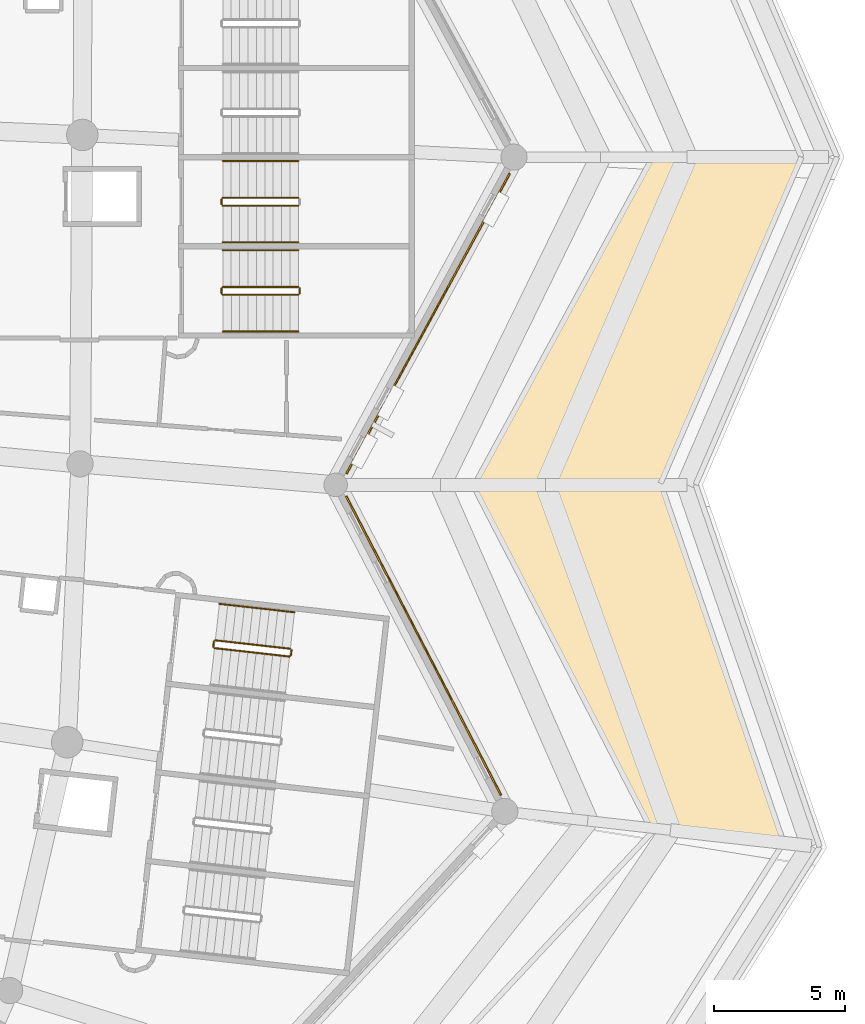
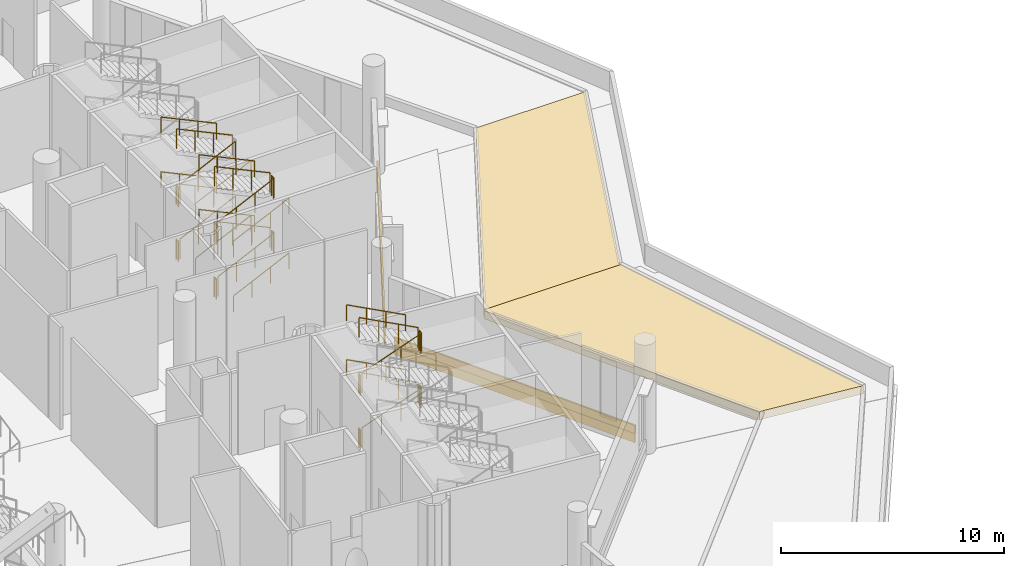
# One storey, part 139 of 173: 32 railings, 6 coverings.
"""IFC4 building model written with IfcOpenShell, lengths in metres."""

from ifc_helpers import new_model, si_unit, direction, frame, origin, origin_2d, place, context, subcontext, project, spatial, polyline, rectangle, circle, outline, extrude, material, layer, layer_set, type_object, element, save


model = new_model("IFC4")

# Units and contexts
model_context = context("Model", 3, precision=1e-05, world=origin(), true_north=direction((0.0, 1.0)))
body_context = subcontext(model_context, "Body", "Model", "MODEL_VIEW")
ifc_project = project(units=[si_unit("LENGTHUNIT", "METRE"), si_unit("AREAUNIT", "SQUARE_METRE"), si_unit("VOLUMEUNIT", "CUBIC_METRE"), si_unit("PLANEANGLEUNIT", "RADIAN"), si_unit("MASSUNIT", "GRAM", prefix="KILO")], contexts=[model_context])

# Site, building, storey
site_placement = place(None, origin())
site = spatial("IfcSite", under=ifc_project, at=site_placement, CompositionType="ELEMENT")
building_placement = place(site_placement, origin())
building = spatial("IfcBuilding", under=site, at=building_placement, Name="Meseta Stadium", CompositionType="ELEMENT")
storey_placement = place(building_placement, frame((0.0, 0.0, 18.0)))
storey = spatial("IfcBuildingStorey", under=building, at=storey_placement, Name="L03", CompositionType="ELEMENT", Elevation=18.0)

# Coverings
ifc_material_1 = material(Name="Guadarrama granite cladding", Category="masonry")
ifc_layer_1 = layer(ifc_material_1, 0.06005859375)
ifc_layer_set_1 = layer_set([ifc_layer_1], Name="Granite plinth cladding 60")
covering_type_1 = type_object("IfcCoveringType", Name="Granite plinth cladding 60", PredefinedType="CLADDING", material=ifc_layer_set_1)
covering_1_placement = place(storey_placement, frame((97.951904296875, -49.8828125, 0.0), z_axis=(0.0, 0.0, 1.0), x_axis=(0.46001538077, -0.887910946804, 0.0)))
element("IfcCovering", 1, at=covering_1_placement, inside=storey, type_object=covering_type_1, Name="Granite plinth L03 F00", PredefinedType="CLADDING", context=body_context, shape_type="SweptSolid", body=[
    extrude(rectangle(XDim=12.83544921875, YDim=0.06005859375, at=origin_2d()), origin(), (0.0, 0.0, 1.0), 0.5),
])
covering_2_placement = place(storey_placement, frame((98.124267578125, -37.595947265625, 0.0), z_axis=(0.0, 0.0, 1.0), x_axis=(-0.47786723231, -0.878432073802, 0.0)))
element("IfcCovering", 2, at=covering_2_placement, inside=storey, type_object=covering_type_1, Name="Granite plinth L03 F01", PredefinedType="CLADDING", context=body_context, shape_type="SweptSolid", body=[
    extrude(rectangle(XDim=13.040283203125, YDim=0.06005859375, at=origin_2d()), origin(), (0.0, 0.0, 1.0), 0.5),
])
ifc_material_2 = material(Name="Planting soil")
ifc_layer_2 = layer(ifc_material_2, 0.449951171875)
ifc_layer_set_2 = layer_set([ifc_layer_2], Name="Planting soil 450")
covering_type_2 = type_object("IfcCoveringType", Name="Planting soil 450", PredefinedType="FLOORING", material=ifc_layer_set_2)
covering_3_placement = place(storey_placement, origin())
element("IfcCovering", 3, at=covering_3_placement, inside=storey, type_object=covering_type_2, Name="Roof garden planting bed 8.1 panel 04", PredefinedType="FLOORING", context=body_context, shape_type="SweptSolid", body=[
    extrude(outline(polyline([(107.0146484375, -43.75), (99.8935546875, -43.75), (99.864501953125, -43.80322265625), (106.61328125, -56.82958984375), (111.67919921875, -57.400390625), (111.68310546875, -57.393798828125), (107.0146484375, -43.75)])), origin(), (0.0, 0.0, 1.0), 0.449951171875),
])
covering_4_placement = place(storey_placement, origin())
element("IfcCovering", 4, at=covering_4_placement, inside=storey, type_object=covering_type_2, Name="Roof garden planting bed 8.1 panel 05", PredefinedType="FLOORING", context=body_context, shape_type="SweptSolid", body=[
    extrude(outline(polyline([(106.693603515625, -31.25), (99.8935546875, -43.75), (107.0146484375, -43.75), (106.9931640625, -43.687255859375), (112.365966796875, -31.25), (106.693603515625, -31.25)])), origin(), (0.0, 0.0, 1.0), 0.449951171875),
])

# Railings
ifc_material_3 = material(Name="Steel S355", Category="steel")
railing_type_1 = type_object("IfcRailingType", Name="Stair guard 1100", PredefinedType="GUARDRAIL", material=ifc_material_3)
railing_1_placement = place(storey_placement, frame((89.9794921875, -49.973876953125, 0.14990234375)))
element("IfcRailing", 5, at=railing_1_placement, inside=storey, type_object=railing_type_1, Name="ST4 L03 guard 1", PredefinedType="GUARDRAIL", context=body_context, shape_type="SweptSolid", body=[
    extrude(circle(Radius=0.02392578125, at=origin_2d()), frame((0.0, 0.0, 1.076171875), z_axis=(0.899747905232, -0.10139626197, 0.424467319223), x_axis=(0.111985219376, 0.993709872468, 0.0)), (0.0, 0.0, 1.0), 3.1806640625),
    extrude(circle(Radius=0.02099609375, at=origin_2d()), origin(), (0.0, 0.0, 1.0), 1.052001953125),
    extrude(circle(Radius=0.02099609375, at=origin_2d()), frame((0.953857421875, -0.107421875, 0.449951171875)), (0.0, 0.0, 1.0), 1.052001953125),
    extrude(circle(Radius=0.02099609375, at=origin_2d()), frame((1.907958984375, -0.215087890625, 0.900146484375)), (0.0, 0.0, 1.0), 1.052001953125),
    extrude(circle(Radius=0.02099609375, at=origin_2d()), frame((2.86181640625, -0.322509765625, 1.35009765625)), (0.0, 0.0, 1.0), 1.052001953125),
])
railing_2_placement = place(storey_placement, frame((92.896728515625, -50.25244140625, 1.5)))
element("IfcRailing", 6, at=railing_2_placement, inside=storey, type_object=railing_type_1, Name="ST4 L03 guard 2", PredefinedType="GUARDRAIL", context=body_context, shape_type="SweptSolid", body=[
    extrude(circle(Radius=0.02392578125, at=origin_2d()), frame((0.0, 0.0, 1.076171875), z_axis=(0.111101504696, 0.993809063983, 0.0), x_axis=(-0.993809063983, 0.111101504696, 0.0)), (0.0, 0.0, 1.0), 0.199951171875),
    extrude(circle(Radius=0.02099609375, at=origin_2d()), origin(), (0.0, 0.0, 1.0), 1.052001953125),
    extrude(circle(Radius=0.02099609375, at=origin_2d()), frame((0.022216796875, 0.19873046875, 0.0)), (0.0, 0.0, 1.0), 1.052001953125),
])
railing_3_placement = place(storey_placement, frame((92.875, -49.998291015625, 1.64990234375)))
element("IfcRailing", 7, at=railing_3_placement, inside=storey, type_object=railing_type_1, Name="ST4 L03 guard 3", PredefinedType="GUARDRAIL", context=body_context, shape_type="SweptSolid", body=[
    extrude(circle(Radius=0.02392578125, at=origin_2d()), frame((0.0, 0.0, 1.076171875), z_axis=(-0.899762522411, 0.101389259755, 0.424438006392), x_axis=(-0.11197578655, -0.993710935447, 0.0)), (0.0, 0.0, 1.0), 3.180908203125),
    extrude(circle(Radius=0.02099609375, at=origin_2d()), origin(), (0.0, 0.0, 1.0), 1.052001953125),
    extrude(circle(Radius=0.02099609375, at=origin_2d()), frame((-0.9541015625, 0.107421875, 0.449951171875)), (0.0, 0.0, 1.0), 1.052001953125),
    extrude(circle(Radius=0.02099609375, at=origin_2d()), frame((-1.907958984375, 0.215087890625, 0.900146484375)), (0.0, 0.0, 1.0), 1.052001953125),
    extrude(circle(Radius=0.02099609375, at=origin_2d()), frame((-2.862060546875, 0.322509765625, 1.35009765625)), (0.0, 0.0, 1.0), 1.052001953125),
])
railing_4_placement = place(storey_placement, frame((89.935302734375, -49.918701171875, 3.0)))
element("IfcRailing", 8, at=railing_4_placement, inside=storey, type_object=railing_type_1, Name="ST4 L03 guard 4", PredefinedType="GUARDRAIL", context=body_context, shape_type="SweptSolid", body=[
    extrude(circle(Radius=0.02392578125, at=origin_2d()), frame((0.0, 0.0, 1.076171875), z_axis=(0.112307083986, 0.993673547442, 0.0), x_axis=(-0.993673547442, 0.112307083986, 0.0)), (0.0, 0.0, 1.0), 0.199951171875),
    extrude(circle(Radius=0.02099609375, at=origin_2d()), origin(), (0.0, 0.0, 1.0), 1.052001953125),
    extrude(circle(Radius=0.02099609375, at=origin_2d()), frame((0.0224609375, 0.19873046875, 0.0)), (0.0, 0.0, 1.0), 1.052001953125),
])
railing_5_placement = place(storey_placement, frame((89.9794921875, -49.973876953125, 3.14990234375)))
element("IfcRailing", 9, at=railing_5_placement, inside=storey, type_object=railing_type_1, Name="ST4 L03 guard 5", PredefinedType="GUARDRAIL", context=body_context, shape_type="SweptSolid", body=[
    extrude(circle(Radius=0.02392578125, at=origin_2d()), frame((0.0, 0.0, 1.076171875), z_axis=(0.899747905232, -0.10139626197, 0.424467319223), x_axis=(0.111985219376, 0.993709872468, 0.0)), (0.0, 0.0, 1.0), 3.1806640625),
    extrude(circle(Radius=0.02099609375, at=origin_2d()), origin(), (0.0, 0.0, 1.0), 1.052001953125),
    extrude(circle(Radius=0.02099609375, at=origin_2d()), frame((0.953857421875, -0.107421875, 0.449951171875)), (0.0, 0.0, 1.0), 1.052001953125),
    extrude(circle(Radius=0.02099609375, at=origin_2d()), frame((1.907958984375, -0.215087890625, 0.900146484375)), (0.0, 0.0, 1.0), 1.052001953125),
    extrude(circle(Radius=0.02099609375, at=origin_2d()), frame((2.86181640625, -0.322509765625, 1.35009765625)), (0.0, 0.0, 1.0), 1.052001953125),
])
railing_6_placement = place(storey_placement, frame((92.896728515625, -50.25244140625, 4.5)))
element("IfcRailing", 10, at=railing_6_placement, inside=storey, type_object=railing_type_1, Name="ST4 L03 guard 6", PredefinedType="GUARDRAIL", context=body_context, shape_type="SweptSolid", body=[
    extrude(circle(Radius=0.02392578125, at=origin_2d()), frame((0.0, 0.0, 1.076171875), z_axis=(0.111101504696, 0.993809063983, 0.0), x_axis=(-0.993809063983, 0.111101504696, 0.0)), (0.0, 0.0, 1.0), 0.199951171875),
    extrude(circle(Radius=0.02099609375, at=origin_2d()), origin(), (0.0, 0.0, 1.0), 1.052001953125),
    extrude(circle(Radius=0.02099609375, at=origin_2d()), frame((0.022216796875, 0.19873046875, 0.0)), (0.0, 0.0, 1.0), 1.052001953125),
])
railing_7_placement = place(storey_placement, frame((92.875, -49.998291015625, 4.64990234375)))
element("IfcRailing", 11, at=railing_7_placement, inside=storey, type_object=railing_type_1, Name="ST4 L03 guard 7", PredefinedType="GUARDRAIL", context=body_context, shape_type="SweptSolid", body=[
    extrude(circle(Radius=0.02392578125, at=origin_2d()), frame((0.0, 0.0, 1.076171875), z_axis=(-0.899762522411, 0.101389259755, 0.424438006392), x_axis=(-0.11197578655, -0.993710935447, 0.0)), (0.0, 0.0, 1.0), 3.180908203125),
    extrude(circle(Radius=0.02099609375, at=origin_2d()), origin(), (0.0, 0.0, 1.0), 1.052001953125),
    extrude(circle(Radius=0.02099609375, at=origin_2d()), frame((-0.9541015625, 0.107421875, 0.449951171875)), (0.0, 0.0, 1.0), 1.052001953125),
    extrude(circle(Radius=0.02099609375, at=origin_2d()), frame((-1.907958984375, 0.215087890625, 0.900146484375)), (0.0, 0.0, 1.0), 1.052001953125),
    extrude(circle(Radius=0.02099609375, at=origin_2d()), frame((-2.862060546875, 0.322509765625, 1.35009765625)), (0.0, 0.0, 1.0), 1.052001953125),
])
railing_8_placement = place(storey_placement, frame((89.935302734375, -49.918701171875, 0.0)))
element("IfcRailing", 12, at=railing_8_placement, inside=storey, type_object=railing_type_1, Name="ST4 L03 guard 8", PredefinedType="GUARDRAIL", context=body_context, shape_type="SweptSolid", body=[
    extrude(circle(Radius=0.02392578125, at=origin_2d()), frame((0.0, 0.0, 1.076171875), z_axis=(0.112307083986, 0.993673547442, 0.0), x_axis=(-0.993673547442, 0.112307083986, 0.0)), (0.0, 0.0, 1.0), 0.199951171875),
    extrude(circle(Radius=0.02099609375, at=origin_2d()), origin(), (0.0, 0.0, 1.0), 1.052001953125),
    extrude(circle(Radius=0.02099609375, at=origin_2d()), frame((0.0224609375, 0.19873046875, 0.0)), (0.0, 0.0, 1.0), 1.052001953125),
])
railing_9_placement = place(storey_placement, frame((90.300048828125, -36.5, 0.14990234375)))
element("IfcRailing", 13, at=railing_9_placement, inside=storey, type_object=railing_type_1, Name="ST5 L03 guard 1", PredefinedType="GUARDRAIL", context=body_context, shape_type="SweptSolid", body=[
    extrude(circle(Radius=0.02392578125, at=origin_2d()), frame((0.0, 0.0, 1.076171875), z_axis=(0.905440498372, 0.0, 0.424473207528), x_axis=(0.0, 1.0, 0.0)), (0.0, 0.0, 1.0), 3.1806640625),
    extrude(circle(Radius=0.02099609375, at=origin_2d()), origin(), (0.0, 0.0, 1.0), 1.052001953125),
    extrude(circle(Radius=0.02099609375, at=origin_2d()), frame((0.9599609375, 0.0, 0.449951171875)), (0.0, 0.0, 1.0), 1.052001953125),
    extrude(circle(Radius=0.02099609375, at=origin_2d()), frame((1.919921875, 0.0, 0.900146484375)), (0.0, 0.0, 1.0), 1.052001953125),
    extrude(circle(Radius=0.02099609375, at=origin_2d()), frame((2.8798828125, 0.0, 1.35009765625)), (0.0, 0.0, 1.0), 1.052001953125),
])
railing_10_placement = place(storey_placement, frame((93.22998046875, -36.449951171875, 1.5)))
element("IfcRailing", 14, at=railing_10_placement, inside=storey, type_object=railing_type_1, Name="ST5 L03 guard 2", PredefinedType="GUARDRAIL", context=body_context, shape_type="SweptSolid", body=[
    extrude(circle(Radius=0.02392578125, at=origin_2d()), frame((0.0, 0.0, 1.076171875), z_axis=(0.0, 1.0, 0.0), x_axis=(-1.0, 0.0, 0.0)), (0.0, 0.0, 1.0), 0.199951171875),
    extrude(circle(Radius=0.02099609375, at=origin_2d()), origin(), (0.0, 0.0, 1.0), 1.052001953125),
    extrude(circle(Radius=0.02099609375, at=origin_2d()), frame((0.0, 0.199951171875, 0.0)), (0.0, 0.0, 1.0), 1.052001953125),
])
railing_11_placement = place(storey_placement, frame((93.179931640625, -36.199951171875, 1.64990234375)))
element("IfcRailing", 15, at=railing_11_placement, inside=storey, type_object=railing_type_1, Name="ST5 L03 guard 3", PredefinedType="GUARDRAIL", context=body_context, shape_type="SweptSolid", body=[
    extrude(circle(Radius=0.02392578125, at=origin_2d()), frame((0.0, 0.0, 1.076171875), z_axis=(-0.905440498372, 0.0, 0.424473207528), x_axis=(0.0, -1.0, 0.0)), (0.0, 0.0, 1.0), 3.1806640625),
    extrude(circle(Radius=0.02099609375, at=origin_2d()), origin(), (0.0, 0.0, 1.0), 1.052001953125),
    extrude(circle(Radius=0.02099609375, at=origin_2d()), frame((-0.9599609375, 0.0, 0.449951171875)), (0.0, 0.0, 1.0), 1.052001953125),
    extrude(circle(Radius=0.02099609375, at=origin_2d()), frame((-1.919921875, 0.0, 0.900146484375)), (0.0, 0.0, 1.0), 1.052001953125),
    extrude(circle(Radius=0.02099609375, at=origin_2d()), frame((-2.8798828125, 0.0, 1.35009765625)), (0.0, 0.0, 1.0), 1.052001953125),
])
railing_12_placement = place(storey_placement, frame((90.25, -36.449951171875, 3.0)))
element("IfcRailing", 16, at=railing_12_placement, inside=storey, type_object=railing_type_1, Name="ST5 L03 guard 4", PredefinedType="GUARDRAIL", context=body_context, shape_type="SweptSolid", body=[
    extrude(circle(Radius=0.02392578125, at=origin_2d()), frame((0.0, 0.0, 1.076171875), z_axis=(0.0, 1.0, 0.0), x_axis=(-1.0, 0.0, 0.0)), (0.0, 0.0, 1.0), 0.199951171875),
    extrude(circle(Radius=0.02099609375, at=origin_2d()), origin(), (0.0, 0.0, 1.0), 1.052001953125),
    extrude(circle(Radius=0.02099609375, at=origin_2d()), frame((0.0, 0.199951171875, 0.0)), (0.0, 0.0, 1.0), 1.052001953125),
])
railing_13_placement = place(storey_placement, frame((90.300048828125, -36.5, 3.14990234375)))
element("IfcRailing", 17, at=railing_13_placement, inside=storey, type_object=railing_type_1, Name="ST5 L03 guard 5", PredefinedType="GUARDRAIL", context=body_context, shape_type="SweptSolid", body=[
    extrude(circle(Radius=0.02392578125, at=origin_2d()), frame((0.0, 0.0, 1.076171875), z_axis=(0.905440498372, 0.0, 0.424473207528), x_axis=(0.0, 1.0, 0.0)), (0.0, 0.0, 1.0), 3.1806640625),
    extrude(circle(Radius=0.02099609375, at=origin_2d()), origin(), (0.0, 0.0, 1.0), 1.052001953125),
    extrude(circle(Radius=0.02099609375, at=origin_2d()), frame((0.9599609375, 0.0, 0.449951171875)), (0.0, 0.0, 1.0), 1.052001953125),
    extrude(circle(Radius=0.02099609375, at=origin_2d()), frame((1.919921875, 0.0, 0.900146484375)), (0.0, 0.0, 1.0), 1.052001953125),
    extrude(circle(Radius=0.02099609375, at=origin_2d()), frame((2.8798828125, 0.0, 1.35009765625)), (0.0, 0.0, 1.0), 1.052001953125),
])
railing_14_placement = place(storey_placement, frame((93.22998046875, -36.449951171875, 4.5)))
element("IfcRailing", 18, at=railing_14_placement, inside=storey, type_object=railing_type_1, Name="ST5 L03 guard 6", PredefinedType="GUARDRAIL", context=body_context, shape_type="SweptSolid", body=[
    extrude(circle(Radius=0.02392578125, at=origin_2d()), frame((0.0, 0.0, 1.076171875), z_axis=(0.0, 1.0, 0.0), x_axis=(-1.0, 0.0, 0.0)), (0.0, 0.0, 1.0), 0.199951171875),
    extrude(circle(Radius=0.02099609375, at=origin_2d()), origin(), (0.0, 0.0, 1.0), 1.052001953125),
    extrude(circle(Radius=0.02099609375, at=origin_2d()), frame((0.0, 0.199951171875, 0.0)), (0.0, 0.0, 1.0), 1.052001953125),
])
railing_15_placement = place(storey_placement, frame((93.179931640625, -36.199951171875, 4.64990234375)))
element("IfcRailing", 19, at=railing_15_placement, inside=storey, type_object=railing_type_1, Name="ST5 L03 guard 7", PredefinedType="GUARDRAIL", context=body_context, shape_type="SweptSolid", body=[
    extrude(circle(Radius=0.02392578125, at=origin_2d()), frame((0.0, 0.0, 1.076171875), z_axis=(-0.905440498372, 0.0, 0.424473207528), x_axis=(0.0, -1.0, 0.0)), (0.0, 0.0, 1.0), 3.1806640625),
    extrude(circle(Radius=0.02099609375, at=origin_2d()), origin(), (0.0, 0.0, 1.0), 1.052001953125),
    extrude(circle(Radius=0.02099609375, at=origin_2d()), frame((-0.9599609375, 0.0, 0.449951171875)), (0.0, 0.0, 1.0), 1.052001953125),
    extrude(circle(Radius=0.02099609375, at=origin_2d()), frame((-1.919921875, 0.0, 0.900146484375)), (0.0, 0.0, 1.0), 1.052001953125),
    extrude(circle(Radius=0.02099609375, at=origin_2d()), frame((-2.8798828125, 0.0, 1.35009765625)), (0.0, 0.0, 1.0), 1.052001953125),
])
railing_16_placement = place(storey_placement, frame((90.25, -36.449951171875, 0.0)))
element("IfcRailing", 20, at=railing_16_placement, inside=storey, type_object=railing_type_1, Name="ST5 L03 guard 8", PredefinedType="GUARDRAIL", context=body_context, shape_type="SweptSolid", body=[
    extrude(circle(Radius=0.02392578125, at=origin_2d()), frame((0.0, 0.0, 1.076171875), z_axis=(0.0, 1.0, 0.0), x_axis=(-1.0, 0.0, 0.0)), (0.0, 0.0, 1.0), 0.199951171875),
    extrude(circle(Radius=0.02099609375, at=origin_2d()), origin(), (0.0, 0.0, 1.0), 1.052001953125),
    extrude(circle(Radius=0.02099609375, at=origin_2d()), frame((0.0, 0.199951171875, 0.0)), (0.0, 0.0, 1.0), 1.052001953125),
])
railing_17_placement = place(storey_placement, frame((90.300048828125, -33.10009765625, 0.14990234375)))
element("IfcRailing", 21, at=railing_17_placement, inside=storey, type_object=railing_type_1, Name="ST6 L03 guard 1", PredefinedType="GUARDRAIL", context=body_context, shape_type="SweptSolid", body=[
    extrude(circle(Radius=0.02392578125, at=origin_2d()), frame((0.0, 0.0, 1.076171875), z_axis=(0.905440498372, 0.0, 0.424473207528), x_axis=(0.0, 1.0, 0.0)), (0.0, 0.0, 1.0), 3.1806640625),
    extrude(circle(Radius=0.02099609375, at=origin_2d()), origin(), (0.0, 0.0, 1.0), 1.052001953125),
    extrude(circle(Radius=0.02099609375, at=origin_2d()), frame((0.9599609375, 0.0, 0.449951171875)), (0.0, 0.0, 1.0), 1.052001953125),
    extrude(circle(Radius=0.02099609375, at=origin_2d()), frame((1.919921875, 0.0, 0.900146484375)), (0.0, 0.0, 1.0), 1.052001953125),
    extrude(circle(Radius=0.02099609375, at=origin_2d()), frame((2.8798828125, 0.0, 1.35009765625)), (0.0, 0.0, 1.0), 1.052001953125),
])
railing_18_placement = place(storey_placement, frame((93.179931640625, -32.800048828125, 1.64990234375)))
element("IfcRailing", 22, at=railing_18_placement, inside=storey, type_object=railing_type_1, Name="ST6 L03 guard 3", PredefinedType="GUARDRAIL", context=body_context, shape_type="SweptSolid", body=[
    extrude(circle(Radius=0.02392578125, at=origin_2d()), frame((0.0, 0.0, 1.076171875), z_axis=(-0.905440498372, 0.0, 0.424473207528), x_axis=(0.0, -1.0, 0.0)), (0.0, 0.0, 1.0), 3.1806640625),
    extrude(circle(Radius=0.02099609375, at=origin_2d()), origin(), (0.0, 0.0, 1.0), 1.052001953125),
    extrude(circle(Radius=0.02099609375, at=origin_2d()), frame((-0.9599609375, 0.0, 0.449951171875)), (0.0, 0.0, 1.0), 1.052001953125),
    extrude(circle(Radius=0.02099609375, at=origin_2d()), frame((-1.919921875, 0.0, 0.900146484375)), (0.0, 0.0, 1.0), 1.052001953125),
    extrude(circle(Radius=0.02099609375, at=origin_2d()), frame((-2.8798828125, 0.0, 1.35009765625)), (0.0, 0.0, 1.0), 1.052001953125),
])
railing_19_placement = place(storey_placement, frame((90.25, -33.050048828125, 3.0)))
element("IfcRailing", 23, at=railing_19_placement, inside=storey, type_object=railing_type_1, Name="ST6 L03 guard 4", PredefinedType="GUARDRAIL", context=body_context, shape_type="SweptSolid", body=[
    extrude(circle(Radius=0.02392578125, at=origin_2d()), frame((0.0, 0.0, 1.076171875), z_axis=(0.0, 1.0, 0.0), x_axis=(-1.0, 0.0, 0.0)), (0.0, 0.0, 1.0), 0.199951171875),
    extrude(circle(Radius=0.02099609375, at=origin_2d()), origin(), (0.0, 0.0, 1.0), 1.052001953125),
    extrude(circle(Radius=0.02099609375, at=origin_2d()), frame((0.0, 0.199951171875, 0.0)), (0.0, 0.0, 1.0), 1.052001953125),
])
railing_20_placement = place(storey_placement, frame((90.300048828125, -33.10009765625, 3.14990234375)))
element("IfcRailing", 24, at=railing_20_placement, inside=storey, type_object=railing_type_1, Name="ST6 L03 guard 5", PredefinedType="GUARDRAIL", context=body_context, shape_type="SweptSolid", body=[
    extrude(circle(Radius=0.02392578125, at=origin_2d()), frame((0.0, 0.0, 1.076171875), z_axis=(0.905440498372, 0.0, 0.424473207528), x_axis=(0.0, 1.0, 0.0)), (0.0, 0.0, 1.0), 3.1806640625),
    extrude(circle(Radius=0.02099609375, at=origin_2d()), origin(), (0.0, 0.0, 1.0), 1.052001953125),
    extrude(circle(Radius=0.02099609375, at=origin_2d()), frame((0.9599609375, 0.0, 0.449951171875)), (0.0, 0.0, 1.0), 1.052001953125),
    extrude(circle(Radius=0.02099609375, at=origin_2d()), frame((1.919921875, 0.0, 0.900146484375)), (0.0, 0.0, 1.0), 1.052001953125),
    extrude(circle(Radius=0.02099609375, at=origin_2d()), frame((2.8798828125, 0.0, 1.35009765625)), (0.0, 0.0, 1.0), 1.052001953125),
])
railing_21_placement = place(storey_placement, frame((93.179931640625, -32.800048828125, 4.64990234375)))
element("IfcRailing", 25, at=railing_21_placement, inside=storey, type_object=railing_type_1, Name="ST6 L03 guard 7", PredefinedType="GUARDRAIL", context=body_context, shape_type="SweptSolid", body=[
    extrude(circle(Radius=0.02392578125, at=origin_2d()), frame((0.0, 0.0, 1.076171875), z_axis=(-0.905440498372, 0.0, 0.424473207528), x_axis=(0.0, -1.0, 0.0)), (0.0, 0.0, 1.0), 3.1806640625),
    extrude(circle(Radius=0.02099609375, at=origin_2d()), origin(), (0.0, 0.0, 1.0), 1.052001953125),
    extrude(circle(Radius=0.02099609375, at=origin_2d()), frame((-0.9599609375, 0.0, 0.449951171875)), (0.0, 0.0, 1.0), 1.052001953125),
    extrude(circle(Radius=0.02099609375, at=origin_2d()), frame((-1.919921875, 0.0, 0.900146484375)), (0.0, 0.0, 1.0), 1.052001953125),
    extrude(circle(Radius=0.02099609375, at=origin_2d()), frame((-2.8798828125, 0.0, 1.35009765625)), (0.0, 0.0, 1.0), 1.052001953125),
])
railing_22_placement = place(storey_placement, frame((90.25, -33.050048828125, 0.0)))
element("IfcRailing", 26, at=railing_22_placement, inside=storey, type_object=railing_type_1, Name="ST6 L03 guard 8", PredefinedType="GUARDRAIL", context=body_context, shape_type="SweptSolid", body=[
    extrude(circle(Radius=0.02392578125, at=origin_2d()), frame((0.0, 0.0, 1.076171875), z_axis=(0.0, 1.0, 0.0), x_axis=(-1.0, 0.0, 0.0)), (0.0, 0.0, 1.0), 0.199951171875),
    extrude(circle(Radius=0.02099609375, at=origin_2d()), origin(), (0.0, 0.0, 1.0), 1.052001953125),
    extrude(circle(Radius=0.02099609375, at=origin_2d()), frame((0.0, 0.199951171875, 0.0)), (0.0, 0.0, 1.0), 1.052001953125),
])
ifc_material_4 = material(Name="Steel S355", Category="steel")
railing_type_2 = type_object("IfcRailingType", Name="Stair handrail 900", PredefinedType="HANDRAIL", material=ifc_material_4)
for number, where, name in (
    (27, (93.03173828125, -48.607177734375, 1.64990234375), "ST4 L03 handrail 2"),
    (28, (93.03173828125, -48.607177734375, 4.64990234375), "ST4 L03 handrail 4"),
):
    element("IfcRailing", number, at=place(storey_placement, frame(where)), inside=storey, type_object=railing_type_2, Name=name, PredefinedType="HANDRAIL", context=body_context, shape_type="SweptSolid", body=[
        extrude(circle(Radius=0.02392578125, at=origin_2d()), frame((0.0, 0.0, 0.8759765625), z_axis=(-0.899762522411, 0.101389259755, 0.424438006392), x_axis=(-0.11197578655, -0.993710935447, 0.0)), (0.0, 0.0, 1.0), 3.180908203125),
        extrude(circle(Radius=0.02099609375, at=origin_2d()), origin(), (0.0, 0.0, 1.0), 0.851806640625),
        extrude(circle(Radius=0.02099609375, at=origin_2d()), frame((-0.9541015625, 0.107421875, 0.449951171875)), (0.0, 0.0, 1.0), 0.851806640625),
        extrude(circle(Radius=0.02099609375, at=origin_2d()), frame((-1.907958984375, 0.215087890625, 0.900146484375)), (0.0, 0.0, 1.0), 0.851806640625),
        extrude(circle(Radius=0.02099609375, at=origin_2d()), frame((-2.862060546875, 0.322509765625, 1.35009765625)), (0.0, 0.0, 1.0), 0.851806640625),
    ])
railing_23_placement = place(storey_placement, frame((90.300048828125, -37.89990234375, 0.14990234375)))
element("IfcRailing", 29, at=railing_23_placement, inside=storey, type_object=railing_type_2, Name="ST5 L03 handrail 1", PredefinedType="HANDRAIL", context=body_context, shape_type="SweptSolid", body=[
    extrude(circle(Radius=0.02392578125, at=origin_2d()), frame((0.0, 0.0, 0.8759765625), z_axis=(0.905440498372, 0.0, 0.424473207528), x_axis=(0.0, 1.0, 0.0)), (0.0, 0.0, 1.0), 3.1806640625),
    extrude(circle(Radius=0.02099609375, at=origin_2d()), origin(), (0.0, 0.0, 1.0), 0.851806640625),
    extrude(circle(Radius=0.02099609375, at=origin_2d()), frame((0.9599609375, 0.0, 0.449951171875)), (0.0, 0.0, 1.0), 0.851806640625),
    extrude(circle(Radius=0.02099609375, at=origin_2d()), frame((1.919921875, 0.0, 0.900146484375)), (0.0, 0.0, 1.0), 0.851806640625),
    extrude(circle(Radius=0.02099609375, at=origin_2d()), frame((2.8798828125, 0.0, 1.35009765625)), (0.0, 0.0, 1.0), 0.851806640625),
])
railing_24_placement = place(storey_placement, frame((93.179931640625, -34.800048828125, 1.64990234375)))
element("IfcRailing", 30, at=railing_24_placement, inside=storey, type_object=railing_type_2, Name="ST5 L03 handrail 2", PredefinedType="HANDRAIL", context=body_context, shape_type="SweptSolid", body=[
    extrude(circle(Radius=0.02392578125, at=origin_2d()), frame((0.0, 0.0, 0.8759765625), z_axis=(-0.905440498372, 0.0, 0.424473207528), x_axis=(0.0, -1.0, 0.0)), (0.0, 0.0, 1.0), 3.1806640625),
    extrude(circle(Radius=0.02099609375, at=origin_2d()), origin(), (0.0, 0.0, 1.0), 0.851806640625),
    extrude(circle(Radius=0.02099609375, at=origin_2d()), frame((-0.9599609375, 0.0, 0.449951171875)), (0.0, 0.0, 1.0), 0.851806640625),
    extrude(circle(Radius=0.02099609375, at=origin_2d()), frame((-1.919921875, 0.0, 0.900146484375)), (0.0, 0.0, 1.0), 0.851806640625),
    extrude(circle(Radius=0.02099609375, at=origin_2d()), frame((-2.8798828125, 0.0, 1.35009765625)), (0.0, 0.0, 1.0), 0.851806640625),
])
railing_25_placement = place(storey_placement, frame((90.300048828125, -37.89990234375, 3.14990234375)))
element("IfcRailing", 31, at=railing_25_placement, inside=storey, type_object=railing_type_2, Name="ST5 L03 handrail 3", PredefinedType="HANDRAIL", context=body_context, shape_type="SweptSolid", body=[
    extrude(circle(Radius=0.02392578125, at=origin_2d()), frame((0.0, 0.0, 0.8759765625), z_axis=(0.905440498372, 0.0, 0.424473207528), x_axis=(0.0, 1.0, 0.0)), (0.0, 0.0, 1.0), 3.1806640625),
    extrude(circle(Radius=0.02099609375, at=origin_2d()), origin(), (0.0, 0.0, 1.0), 0.851806640625),
    extrude(circle(Radius=0.02099609375, at=origin_2d()), frame((0.9599609375, 0.0, 0.449951171875)), (0.0, 0.0, 1.0), 0.851806640625),
    extrude(circle(Radius=0.02099609375, at=origin_2d()), frame((1.919921875, 0.0, 0.900146484375)), (0.0, 0.0, 1.0), 0.851806640625),
    extrude(circle(Radius=0.02099609375, at=origin_2d()), frame((2.8798828125, 0.0, 1.35009765625)), (0.0, 0.0, 1.0), 0.851806640625),
])
railing_26_placement = place(storey_placement, frame((93.179931640625, -34.800048828125, 4.64990234375)))
element("IfcRailing", 32, at=railing_26_placement, inside=storey, type_object=railing_type_2, Name="ST5 L03 handrail 4", PredefinedType="HANDRAIL", context=body_context, shape_type="SweptSolid", body=[
    extrude(circle(Radius=0.02392578125, at=origin_2d()), frame((0.0, 0.0, 0.8759765625), z_axis=(-0.905440498372, 0.0, 0.424473207528), x_axis=(0.0, -1.0, 0.0)), (0.0, 0.0, 1.0), 3.1806640625),
    extrude(circle(Radius=0.02099609375, at=origin_2d()), origin(), (0.0, 0.0, 1.0), 0.851806640625),
    extrude(circle(Radius=0.02099609375, at=origin_2d()), frame((-0.9599609375, 0.0, 0.449951171875)), (0.0, 0.0, 1.0), 0.851806640625),
    extrude(circle(Radius=0.02099609375, at=origin_2d()), frame((-1.919921875, 0.0, 0.900146484375)), (0.0, 0.0, 1.0), 0.851806640625),
    extrude(circle(Radius=0.02099609375, at=origin_2d()), frame((-2.8798828125, 0.0, 1.35009765625)), (0.0, 0.0, 1.0), 0.851806640625),
])
railing_27_placement = place(storey_placement, frame((90.300048828125, -34.5, 0.14990234375)))
element("IfcRailing", 33, at=railing_27_placement, inside=storey, type_object=railing_type_2, Name="ST6 L03 handrail 1", PredefinedType="HANDRAIL", context=body_context, shape_type="SweptSolid", body=[
    extrude(circle(Radius=0.02392578125, at=origin_2d()), frame((0.0, 0.0, 0.8759765625), z_axis=(0.905440498372, 0.0, 0.424473207528), x_axis=(0.0, 1.0, 0.0)), (0.0, 0.0, 1.0), 3.1806640625),
    extrude(circle(Radius=0.02099609375, at=origin_2d()), origin(), (0.0, 0.0, 1.0), 0.851806640625),
    extrude(circle(Radius=0.02099609375, at=origin_2d()), frame((0.9599609375, 0.0, 0.449951171875)), (0.0, 0.0, 1.0), 0.851806640625),
    extrude(circle(Radius=0.02099609375, at=origin_2d()), frame((1.919921875, 0.0, 0.900146484375)), (0.0, 0.0, 1.0), 0.851806640625),
    extrude(circle(Radius=0.02099609375, at=origin_2d()), frame((2.8798828125, 0.0, 1.35009765625)), (0.0, 0.0, 1.0), 0.851806640625),
])
railing_28_placement = place(storey_placement, frame((93.179931640625, -31.39990234375, 1.64990234375)))
element("IfcRailing", 34, at=railing_28_placement, inside=storey, type_object=railing_type_2, Name="ST6 L03 handrail 2", PredefinedType="HANDRAIL", context=body_context, shape_type="SweptSolid", body=[
    extrude(circle(Radius=0.02392578125, at=origin_2d()), frame((0.0, 0.0, 0.8759765625), z_axis=(-0.905440498372, 0.0, 0.424473207528), x_axis=(0.0, -1.0, 0.0)), (0.0, 0.0, 1.0), 3.1806640625),
    extrude(circle(Radius=0.02099609375, at=origin_2d()), origin(), (0.0, 0.0, 1.0), 0.851806640625),
    extrude(circle(Radius=0.02099609375, at=origin_2d()), frame((-0.9599609375, 0.0, 0.449951171875)), (0.0, 0.0, 1.0), 0.851806640625),
    extrude(circle(Radius=0.02099609375, at=origin_2d()), frame((-1.919921875, 0.0, 0.900146484375)), (0.0, 0.0, 1.0), 0.851806640625),
    extrude(circle(Radius=0.02099609375, at=origin_2d()), frame((-2.8798828125, 0.0, 1.35009765625)), (0.0, 0.0, 1.0), 0.851806640625),
])
railing_29_placement = place(storey_placement, frame((90.300048828125, -34.5, 3.14990234375)))
element("IfcRailing", 35, at=railing_29_placement, inside=storey, type_object=railing_type_2, Name="ST6 L03 handrail 3", PredefinedType="HANDRAIL", context=body_context, shape_type="SweptSolid", body=[
    extrude(circle(Radius=0.02392578125, at=origin_2d()), frame((0.0, 0.0, 0.8759765625), z_axis=(0.905440498372, 0.0, 0.424473207528), x_axis=(0.0, 1.0, 0.0)), (0.0, 0.0, 1.0), 3.1806640625),
    extrude(circle(Radius=0.02099609375, at=origin_2d()), origin(), (0.0, 0.0, 1.0), 0.851806640625),
    extrude(circle(Radius=0.02099609375, at=origin_2d()), frame((0.9599609375, 0.0, 0.449951171875)), (0.0, 0.0, 1.0), 0.851806640625),
    extrude(circle(Radius=0.02099609375, at=origin_2d()), frame((1.919921875, 0.0, 0.900146484375)), (0.0, 0.0, 1.0), 0.851806640625),
    extrude(circle(Radius=0.02099609375, at=origin_2d()), frame((2.8798828125, 0.0, 1.35009765625)), (0.0, 0.0, 1.0), 0.851806640625),
])
railing_30_placement = place(storey_placement, frame((93.179931640625, -31.39990234375, 4.64990234375)))
element("IfcRailing", 36, at=railing_30_placement, inside=storey, type_object=railing_type_2, Name="ST6 L03 handrail 4", PredefinedType="HANDRAIL", context=body_context, shape_type="SweptSolid", body=[
    extrude(circle(Radius=0.02392578125, at=origin_2d()), frame((0.0, 0.0, 0.8759765625), z_axis=(-0.905440498372, 0.0, 0.424473207528), x_axis=(0.0, -1.0, 0.0)), (0.0, 0.0, 1.0), 3.1806640625),
    extrude(circle(Radius=0.02099609375, at=origin_2d()), origin(), (0.0, 0.0, 1.0), 0.851806640625),
    extrude(circle(Radius=0.02099609375, at=origin_2d()), frame((-0.9599609375, 0.0, 0.449951171875)), (0.0, 0.0, 1.0), 0.851806640625),
    extrude(circle(Radius=0.02099609375, at=origin_2d()), frame((-1.919921875, 0.0, 0.900146484375)), (0.0, 0.0, 1.0), 0.851806640625),
    extrude(circle(Radius=0.02099609375, at=origin_2d()), frame((-2.8798828125, 0.0, 1.35009765625)), (0.0, 0.0, 1.0), 0.851806640625),
])

# Coverings
ifc_material_5 = material(Name="Precast concrete C40/50, terracotta pigment", Category="masonry")
ifc_layer_3 = layer(ifc_material_5, 0.080078125)
ifc_layer_set_3 = layer_set([ifc_layer_3], Name="Precast concrete C40/50, terracotta pigment")
covering_type_3 = type_object("IfcCoveringType", Name="Terracotta precast band 80", PredefinedType="CLADDING", material=ifc_layer_set_3)
covering_5_placement = place(storey_placement, frame((97.960693359375, -49.87841796875, 0.5), z_axis=(0.0, 0.0, 1.0), x_axis=(0.46001538077, -0.887910946804, 0.0)))
element("IfcCovering", 37, at=covering_5_placement, inside=storey, type_object=covering_type_3, Name="Terracotta band L03 F00", PredefinedType="CLADDING", context=body_context, shape_type="SweptSolid", body=[
    extrude(rectangle(XDim=12.83544921875, YDim=0.080078125, at=origin_2d()), origin(), (0.0, 0.0, 1.0), 0.449951171875),
])
covering_6_placement = place(storey_placement, frame((98.133056640625, -37.600830078125, 0.5), z_axis=(0.0, 0.0, 1.0), x_axis=(-0.47786723231, -0.878432073802, 0.0)))
element("IfcCovering", 38, at=covering_6_placement, inside=storey, type_object=covering_type_3, Name="Terracotta band L03 F01", PredefinedType="CLADDING", context=body_context, shape_type="SweptSolid", body=[
    extrude(rectangle(XDim=13.040283203125, YDim=0.080078125, at=origin_2d()), origin(), (0.0, 0.0, 1.0), 0.449951171875),
])

save(model, "model.ifc")
